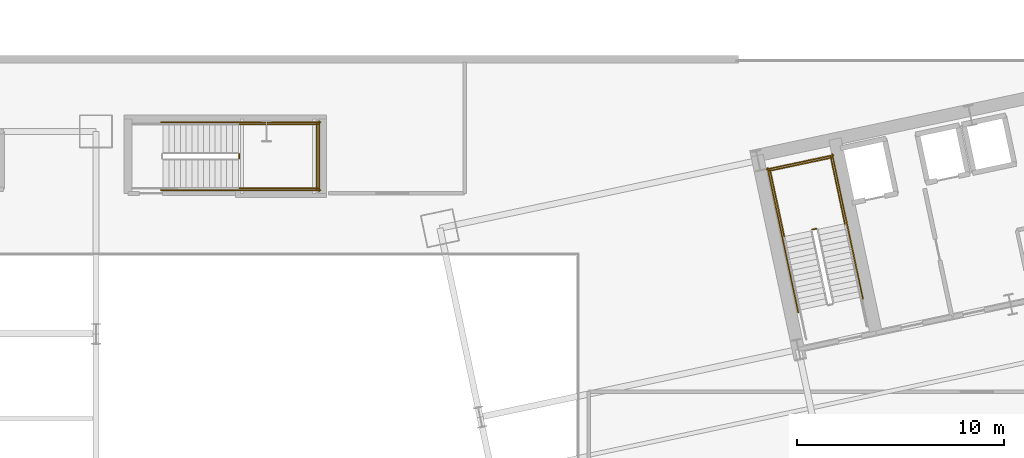
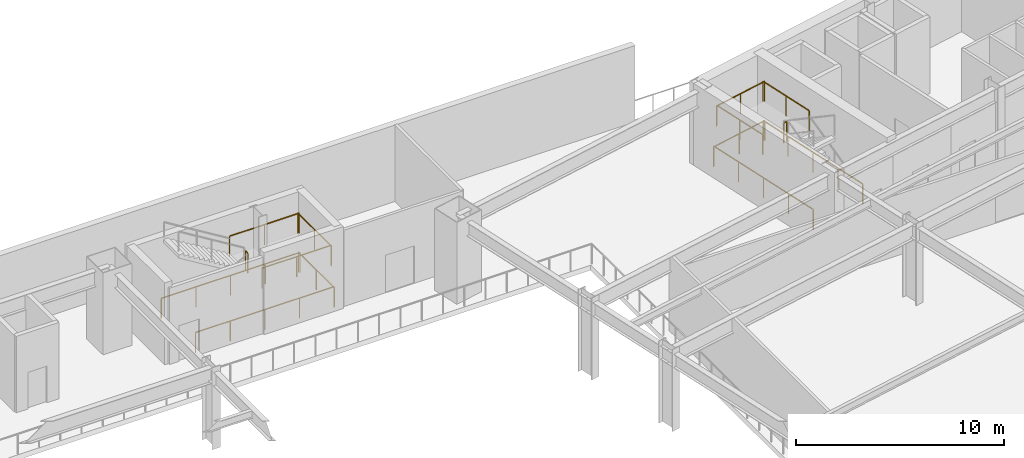
# One storey, part 26 of 28: 14 railings.
"""IFC4 building model written with IfcOpenShell, lengths in metres."""

from ifc_helpers import new_model, si_unit, direction, frame, origin, origin_2d, place, context, subcontext, project, spatial, rectangle, extrude, material, type_object, element, save


model = new_model("IFC4")

# Units and contexts
model_context = context("Model", 3, precision=1e-05, world=origin(), true_north=direction((0.0, 1.0)))
body_context = subcontext(model_context, "Body", "Model", "MODEL_VIEW")
ifc_project = project(units=[si_unit("LENGTHUNIT", "METRE"), si_unit("AREAUNIT", "SQUARE_METRE"), si_unit("VOLUMEUNIT", "CUBIC_METRE"), si_unit("PLANEANGLEUNIT", "RADIAN"), si_unit("MASSUNIT", "GRAM", prefix="KILO")], contexts=[model_context])

# Site, building, storey
site_placement = place(None, origin())
site = spatial("IfcSite", under=ifc_project, at=site_placement, CompositionType="ELEMENT")
building_placement = place(site_placement, origin())
building = spatial("IfcBuilding", under=site, at=building_placement, Name="Haevon Station Towers", CompositionType="ELEMENT")
storey_placement = place(building_placement, frame((0.0, 0.0, 10.800048828125)))
storey = spatial("IfcBuildingStorey", under=building, at=storey_placement, Name="L02", CompositionType="ELEMENT", Elevation=10.800048828125)

# Railings
ifc_material = material(Name="Steel S355", Category="steel")
railing_type = type_object("IfcRailingType", Name="GRD-STR1200", PredefinedType="GUARDRAIL", material=ifc_material)
railing_1_placement = place(storey_placement, frame((99.625244140625, 43.291748046875, 2.39990234375)))
element("IfcRailing", 1, at=railing_1_placement, inside=storey, type_object=railing_type, Name="L02 ST3 Stair Guard 2", PredefinedType="GUARDRAIL", context=body_context, shape_type="SweptSolid", body=[
    extrude(rectangle(XDim=0.048095703125, YDim=0.048095703125, at=origin_2d()), frame((0.0, 0.0, 1.17578125), z_axis=(-0.978211583308, -0.207610448392, 0.0), x_axis=(0.207610448392, -0.978211583308, 0.0)), (0.0, 0.0, 1.0), 0.199951171875),
    extrude(rectangle(XDim=0.0419921875, YDim=0.0419921875, at=origin_2d()), origin(), (0.0, 0.0, 1.0), 1.15185546875),
    extrude(rectangle(XDim=0.0419921875, YDim=0.0419921875, at=origin_2d()), frame((-0.195556640625, -0.04150390625, 0.0)), (0.0, 0.0, 1.0), 1.15185546875),
])
railing_2_placement = place(storey_placement, frame((101.005126953125, 43.533935546875, 2.39990234375)))
element("IfcRailing", 2, at=railing_2_placement, inside=storey, type_object=railing_type, Name="L02 ST3 Stair Guard 3", PredefinedType="GUARDRAIL", context=body_context, shape_type="SweptSolid", body=[
    extrude(rectangle(XDim=0.048095703125, YDim=0.048095703125, at=origin_2d()), frame((0.0, 0.0, 1.17578125), z_axis=(-0.207931975805, 0.978143288807, 0.0), x_axis=(-0.978143288807, -0.207931975805, 0.0)), (0.0, 0.0, 1.0), 3.309814453125),
    extrude(rectangle(XDim=0.0419921875, YDim=0.0419921875, at=origin_2d()), origin(), (0.0, 0.0, 1.0), 1.15185546875),
    extrude(rectangle(XDim=0.0419921875, YDim=0.0419921875, at=origin_2d()), frame((-0.34423828125, 1.61865234375, 0.0)), (0.0, 0.0, 1.0), 1.15185546875),
    extrude(rectangle(XDim=0.0419921875, YDim=0.0419921875, at=origin_2d()), frame((-0.688232421875, 3.237548828125, 0.0)), (0.0, 0.0, 1.0), 1.15185546875),
])
railing_3_placement = place(storey_placement, frame((98.070556640625, 42.91015625, 2.39990234375)))
element("IfcRailing", 3, at=railing_3_placement, inside=storey, type_object=railing_type, Name="L02 ST3 Stair Guard 4", PredefinedType="GUARDRAIL", context=body_context, shape_type="SweptSolid", body=[
    extrude(rectangle(XDim=0.048095703125, YDim=0.048095703125, at=origin_2d()), frame((0.0, 0.0, 1.17578125), z_axis=(-0.207846406048, 0.978161475163, 0.0), x_axis=(-0.978161475163, -0.207846406048, 0.0)), (0.0, 0.0, 1.0), 3.31005859375),
    extrude(rectangle(XDim=0.0419921875, YDim=0.0419921875, at=origin_2d()), origin(), (0.0, 0.0, 1.0), 1.15185546875),
    extrude(rectangle(XDim=0.0419921875, YDim=0.0419921875, at=origin_2d()), frame((-0.343994140625, 1.618896484375, 0.0)), (0.0, 0.0, 1.0), 1.15185546875),
    extrude(rectangle(XDim=0.0419921875, YDim=0.0419921875, at=origin_2d()), frame((-0.68798828125, 3.23779296875, 0.0)), (0.0, 0.0, 1.0), 1.15185546875),
])
railing_4_placement = place(storey_placement, frame((100.376220703125, 46.733154296875, 2.39990234375)))
element("IfcRailing", 4, at=railing_4_placement, inside=storey, type_object=railing_type, Name="L02 ST3 Stair Guard 5", PredefinedType="GUARDRAIL", context=body_context, shape_type="SweptSolid", body=[
    extrude(rectangle(XDim=0.048095703125, YDim=0.048095703125, at=origin_2d()), frame((0.0, 0.0, 1.17578125), z_axis=(-0.978146839882, -0.207915270313, 0.0), x_axis=(0.207915270313, -0.978146839882, 0.0)), (0.0, 0.0, 1.0), 3.099853515625),
    extrude(rectangle(XDim=0.0419921875, YDim=0.0419921875, at=origin_2d()), origin(), (0.0, 0.0, 1.0), 1.15185546875),
    extrude(rectangle(XDim=0.0419921875, YDim=0.0419921875, at=origin_2d()), frame((-1.51611328125, -0.322265625, 0.0)), (0.0, 0.0, 1.0), 1.15185546875),
    extrude(rectangle(XDim=0.0419921875, YDim=0.0419921875, at=origin_2d()), frame((-3.0322265625, -0.64453125, 0.0)), (0.0, 0.0, 1.0), 1.15185546875),
])
railing_5_placement = place(storey_placement, frame((101.88037109375, 39.896484375, 0.0)))
element("IfcRailing", 5, at=railing_5_placement, inside=storey, type_object=railing_type, Name="L02 ST3 Stair Guard 10", PredefinedType="GUARDRAIL", context=body_context, shape_type="SweptSolid", body=[
    extrude(rectangle(XDim=0.048095703125, YDim=0.048095703125, at=origin_2d()), frame((0.0, 0.0, 1.17578125), z_axis=(-0.207882442208, 0.978153817261, 0.0), x_axis=(-0.978153817261, -0.207882442208, 0.0)), (0.0, 0.0, 1.0), 7.14990234375),
    extrude(rectangle(XDim=0.0419921875, YDim=0.0419921875, at=origin_2d()), origin(), (0.0, 0.0, 1.0), 1.15185546875),
    extrude(rectangle(XDim=0.0419921875, YDim=0.0419921875, at=origin_2d()), frame((-0.37158203125, 1.74853515625, 0.0)), (0.0, 0.0, 1.0), 1.15185546875),
    extrude(rectangle(XDim=0.0419921875, YDim=0.0419921875, at=origin_2d()), frame((-0.7431640625, 3.496826171875, 0.0)), (0.0, 0.0, 1.0), 1.15185546875),
    extrude(rectangle(XDim=0.0419921875, YDim=0.0419921875, at=origin_2d()), frame((-1.11474609375, 5.2451171875, 0.0)), (0.0, 0.0, 1.0), 1.15185546875),
    extrude(rectangle(XDim=0.0419921875, YDim=0.0419921875, at=origin_2d()), frame((-1.486328125, 6.99365234375, 0.0)), (0.0, 0.0, 1.0), 1.15185546875),
])
railing_6_placement = place(storey_placement, frame((98.75048828125, 39.231201171875, 0.0)))
element("IfcRailing", 6, at=railing_6_placement, inside=storey, type_object=railing_type, Name="L02 ST3 Stair Guard 11", PredefinedType="GUARDRAIL", context=body_context, shape_type="SweptSolid", body=[
    extrude(rectangle(XDim=0.048095703125, YDim=0.048095703125, at=origin_2d()), frame((0.0, 0.0, 1.17578125), z_axis=(-0.207915112487, 0.978146873429, 0.0), x_axis=(-0.978146873429, -0.207915112487, 0.0)), (0.0, 0.0, 1.0), 7.14990234375),
    extrude(rectangle(XDim=0.0419921875, YDim=0.0419921875, at=origin_2d()), origin(), (0.0, 0.0, 1.0), 1.15185546875),
    extrude(rectangle(XDim=0.0419921875, YDim=0.0419921875, at=origin_2d()), frame((-0.37158203125, 1.74853515625, 0.0)), (0.0, 0.0, 1.0), 1.15185546875),
    extrude(rectangle(XDim=0.0419921875, YDim=0.0419921875, at=origin_2d()), frame((-0.7431640625, 3.496826171875, 0.0)), (0.0, 0.0, 1.0), 1.15185546875),
    extrude(rectangle(XDim=0.0419921875, YDim=0.0419921875, at=origin_2d()), frame((-1.114990234375, 5.2451171875, 0.0)), (0.0, 0.0, 1.0), 1.15185546875),
    extrude(rectangle(XDim=0.0419921875, YDim=0.0419921875, at=origin_2d()), frame((-1.486572265625, 6.99365234375, 0.0)), (0.0, 0.0, 1.0), 1.15185546875),
])
railing_7_placement = place(storey_placement, frame((100.453125, 46.8515625, 0.0)))
element("IfcRailing", 7, at=railing_7_placement, inside=storey, type_object=railing_type, Name="L02 ST3 Stair Guard 12", PredefinedType="GUARDRAIL", context=body_context, shape_type="SweptSolid", body=[
    extrude(rectangle(XDim=0.048095703125, YDim=0.048095703125, at=origin_2d()), frame((0.0, 0.0, 1.17578125), z_axis=(-0.978150764849, -0.207896804268, 0.0), x_axis=(0.207896804268, -0.978150764849, 0.0)), (0.0, 0.0, 1.0), 3.2998046875),
    extrude(rectangle(XDim=0.0419921875, YDim=0.0419921875, at=origin_2d()), origin(), (0.0, 0.0, 1.0), 1.15185546875),
    extrude(rectangle(XDim=0.0419921875, YDim=0.0419921875, at=origin_2d()), frame((-1.61376953125, -0.343017578125, 0.0)), (0.0, 0.0, 1.0), 1.15185546875),
    extrude(rectangle(XDim=0.0419921875, YDim=0.0419921875, at=origin_2d()), frame((-3.227783203125, -0.68603515625, 0.0)), (0.0, 0.0, 1.0), 1.15185546875),
])
railing_8_placement = place(storey_placement, frame((71.68994140625, 46.699951171875, 2.39990234375)))
element("IfcRailing", 8, at=railing_8_placement, inside=storey, type_object=railing_type, Name="L02 ST6 Stair Guard 2", PredefinedType="GUARDRAIL", context=body_context, shape_type="SweptSolid", body=[
    extrude(rectangle(XDim=0.048095703125, YDim=0.048095703125, at=origin_2d()), frame((0.0, 0.0, 1.17578125), z_axis=(0.0, 1.0, 0.0), x_axis=(-1.0, 0.0, 0.0)), (0.0, 0.0, 1.0), 0.199951171875),
    extrude(rectangle(XDim=0.0419921875, YDim=0.0419921875, at=origin_2d()), origin(), (0.0, 0.0, 1.0), 1.15185546875),
    extrude(rectangle(XDim=0.0419921875, YDim=0.0419921875, at=origin_2d()), frame((0.0, 0.199951171875, 0.0)), (0.0, 0.0, 1.0), 1.15185546875),
])
for number, where, name in (
    (9, (71.639892578125, 45.25, 2.39990234375), "L02 ST6 Stair Guard 3"),
    (10, (71.639892578125, 48.35009765625, 2.39990234375), "L02 ST6 Stair Guard 4"),
):
    element("IfcRailing", number, at=place(storey_placement, frame(where)), inside=storey, type_object=railing_type, Name=name, PredefinedType="GUARDRAIL", context=body_context, shape_type="SweptSolid", body=[
        extrude(rectangle(XDim=0.048095703125, YDim=0.048095703125, at=origin_2d()), frame((0.0, 0.0, 1.17578125), z_axis=(1.0, 0.0, 0.0), x_axis=(0.0, 1.0, 0.0)), (0.0, 0.0, 1.0), 3.860107421875),
        extrude(rectangle(XDim=0.0419921875, YDim=0.0419921875, at=origin_2d()), origin(), (0.0, 0.0, 1.0), 1.15185546875),
        extrude(rectangle(XDim=0.0419921875, YDim=0.0419921875, at=origin_2d()), frame((1.93017578125, 0.0, 0.0)), (0.0, 0.0, 1.0), 1.15185546875),
        extrude(rectangle(XDim=0.0419921875, YDim=0.0419921875, at=origin_2d()), frame((3.860107421875, 0.0, 0.0)), (0.0, 0.0, 1.0), 1.15185546875),
    ])
railing_9_placement = place(storey_placement, frame((75.449951171875, 45.199951171875, 2.39990234375)))
element("IfcRailing", 11, at=railing_9_placement, inside=storey, type_object=railing_type, Name="L02 ST6 Stair Guard 5", PredefinedType="GUARDRAIL", context=body_context, shape_type="SweptSolid", body=[
    extrude(rectangle(XDim=0.048095703125, YDim=0.048095703125, at=origin_2d()), frame((0.0, 0.0, 1.17578125), z_axis=(0.0, 1.0, 0.0), x_axis=(-1.0, 0.0, 0.0)), (0.0, 0.0, 1.0), 3.199951171875),
    extrude(rectangle(XDim=0.0419921875, YDim=0.0419921875, at=origin_2d()), origin(), (0.0, 0.0, 1.0), 1.15185546875),
    extrude(rectangle(XDim=0.0419921875, YDim=0.0419921875, at=origin_2d()), frame((0.0, 1.60009765625, 0.0)), (0.0, 0.0, 1.0), 1.15185546875),
    extrude(rectangle(XDim=0.0419921875, YDim=0.0419921875, at=origin_2d()), frame((0.0, 3.199951171875, 0.0)), (0.0, 0.0, 1.0), 1.15185546875),
])
for number, where, name in (
    (12, (67.89990234375, 45.14990234375, 0.0), "L02 ST6 Stair Guard 10"),
    (13, (67.89990234375, 48.449951171875, 0.0), "L02 ST6 Stair Guard 11"),
):
    element("IfcRailing", number, at=place(storey_placement, frame(where)), inside=storey, type_object=railing_type, Name=name, PredefinedType="GUARDRAIL", context=body_context, shape_type="SweptSolid", body=[
        extrude(rectangle(XDim=0.048095703125, YDim=0.048095703125, at=origin_2d()), frame((0.0, 0.0, 1.17578125), z_axis=(1.0, 0.0, 0.0), x_axis=(0.0, 1.0, 0.0)), (0.0, 0.0, 1.0), 7.7001953125),
        extrude(rectangle(XDim=0.0419921875, YDim=0.0419921875, at=origin_2d()), origin(), (0.0, 0.0, 1.0), 1.15185546875),
        extrude(rectangle(XDim=0.0419921875, YDim=0.0419921875, at=origin_2d()), frame((1.925048828125, 0.0, 0.0)), (0.0, 0.0, 1.0), 1.15185546875),
        extrude(rectangle(XDim=0.0419921875, YDim=0.0419921875, at=origin_2d()), frame((3.85009765625, 0.0, 0.0)), (0.0, 0.0, 1.0), 1.15185546875),
        extrude(rectangle(XDim=0.0419921875, YDim=0.0419921875, at=origin_2d()), frame((5.775146484375, 0.0, 0.0)), (0.0, 0.0, 1.0), 1.15185546875),
        extrude(rectangle(XDim=0.0419921875, YDim=0.0419921875, at=origin_2d()), frame((7.7001953125, 0.0, 0.0)), (0.0, 0.0, 1.0), 1.15185546875),
    ])
railing_10_placement = place(storey_placement, frame((75.550048828125, 45.10009765625, 0.0)))
element("IfcRailing", 14, at=railing_10_placement, inside=storey, type_object=railing_type, Name="L02 ST6 Stair Guard 12", PredefinedType="GUARDRAIL", context=body_context, shape_type="SweptSolid", body=[
    extrude(rectangle(XDim=0.048095703125, YDim=0.048095703125, at=origin_2d()), frame((0.0, 0.0, 1.17578125), z_axis=(0.0, 1.0, 0.0), x_axis=(-1.0, 0.0, 0.0)), (0.0, 0.0, 1.0), 3.39990234375),
    extrude(rectangle(XDim=0.0419921875, YDim=0.0419921875, at=origin_2d()), origin(), (0.0, 0.0, 1.0), 1.15185546875),
    extrude(rectangle(XDim=0.0419921875, YDim=0.0419921875, at=origin_2d()), frame((0.0, 1.699951171875, 0.0)), (0.0, 0.0, 1.0), 1.15185546875),
    extrude(rectangle(XDim=0.0419921875, YDim=0.0419921875, at=origin_2d()), frame((0.0, 3.39990234375, 0.0)), (0.0, 0.0, 1.0), 1.15185546875),
])

save(model, "model.ifc")
